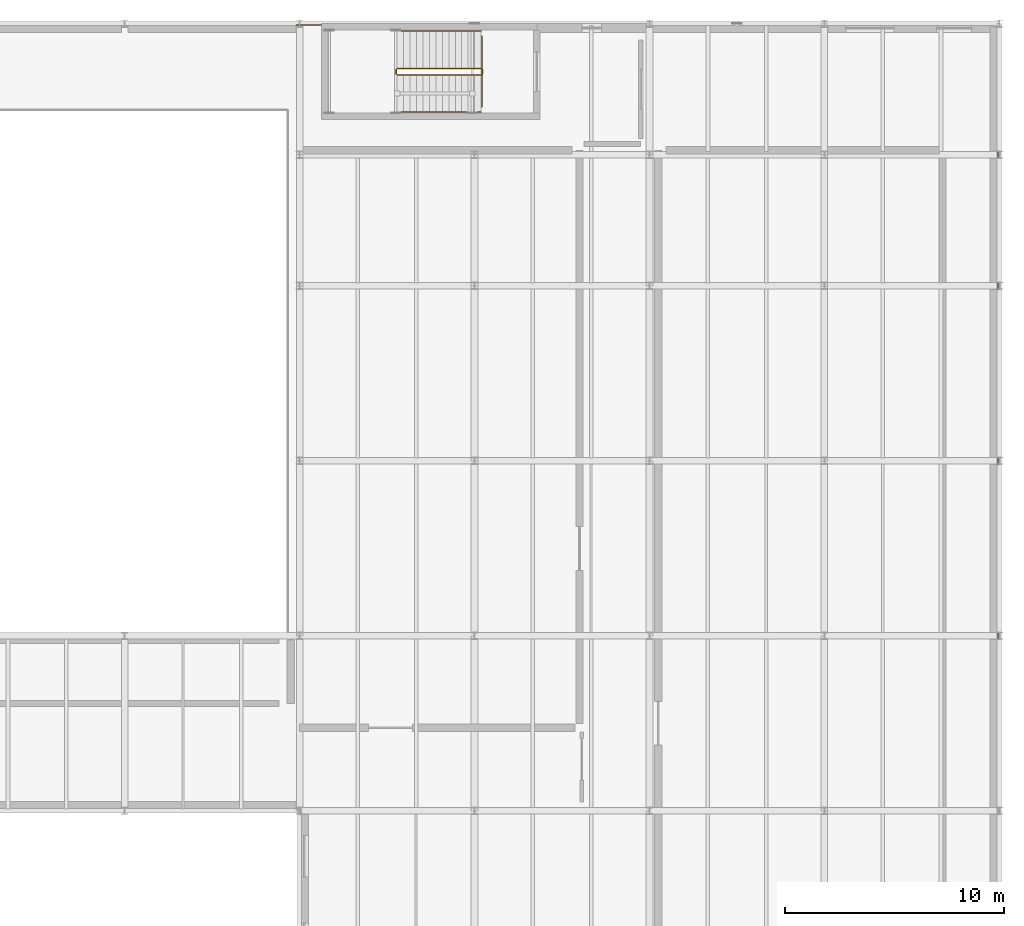
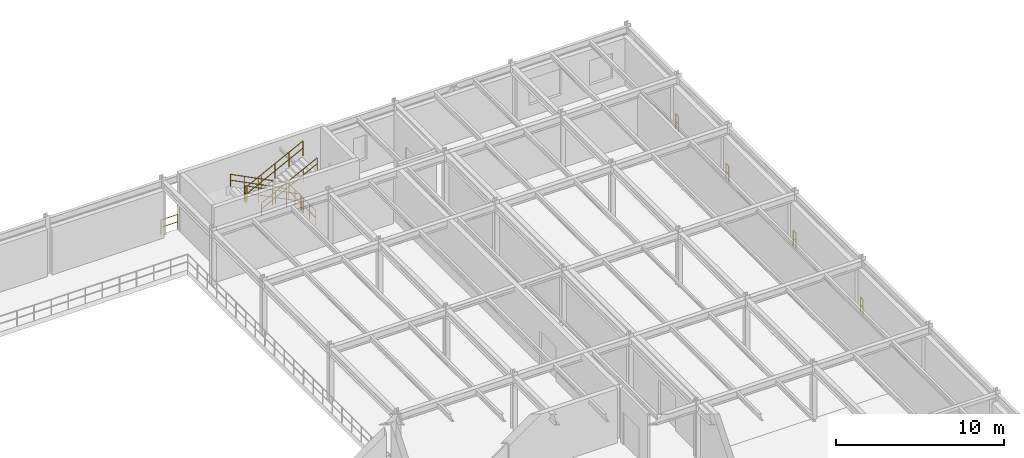
# One storey, part 122 of 122: 13 railings.
"""IFC4 building model written with IfcOpenShell, lengths in metres."""

from ifc_helpers import new_model, si_unit, direction, frame, origin, origin_2d, place, context, subcontext, project, spatial, circle, extrude, material, type_object, element, save


model = new_model("IFC4")

# Units and contexts
model_context = context("Model", 3, precision=1e-05, world=origin(), true_north=direction((0.0, 1.0)))
body_context = subcontext(model_context, "Body", "Model", "MODEL_VIEW")
ifc_project = project(units=[si_unit("LENGTHUNIT", "METRE"), si_unit("AREAUNIT", "SQUARE_METRE"), si_unit("VOLUMEUNIT", "CUBIC_METRE"), si_unit("PLANEANGLEUNIT", "RADIAN"), si_unit("MASSUNIT", "GRAM", prefix="KILO")], contexts=[model_context])

# Site, building, storey
site_placement = place(None, origin())
site = spatial("IfcSite", under=ifc_project, at=site_placement, CompositionType="ELEMENT")
building_placement = place(site_placement, origin())
building = spatial("IfcBuilding", under=site, at=building_placement, Name="Sundkrona Museum", CompositionType="ELEMENT")
storey_placement = place(building_placement, frame((0.0, 0.0, 5.39990234375)))
storey = spatial("IfcBuildingStorey", under=building, at=storey_placement, Name="L01", CompositionType="ELEMENT", Elevation=5.39990234375)

# Railings
ifc_material_1 = material(Name="Painted Steel S355J2 and Laminated Glass Balustrade", Category="steel")
railing_type_1 = type_object("IfcRailingType", Name="RL-GUARD-1100", PredefinedType="BALUSTRADE", material=ifc_material_1)
railing_1_placement = place(storey_placement, frame((144.300048828125, 111.949951171875, 0.150146484375)))
element("IfcRailing", 1, at=railing_1_placement, inside=storey, type_object=railing_type_1, Name="L01 ST-5 stair guard 1", PredefinedType="BALUSTRADE", context=body_context, shape_type="SweptSolid", body=[
    extrude(circle(Radius=0.02392578125, at=origin_2d()), frame((0.0, 0.0, 1.076171875), z_axis=(-0.891387850335, 0.0, 0.453241326752), x_axis=(0.0, -1.0, 0.0)), (0.0, 0.0, 1.0), 4.30224609375),
    extrude(circle(Radius=0.02392578125, at=origin_2d()), frame((0.0, 0.0, 0.550048828125), z_axis=(-0.891387850335, 0.0, 0.453241326752), x_axis=(0.0, -1.0, 0.0)), (0.0, 0.0, 1.0), 4.30224609375),
    extrude(circle(Radius=0.02099609375, at=origin_2d()), origin(), (0.0, 0.0, 1.0), 1.052001953125),
    extrude(circle(Radius=0.02099609375, at=origin_2d()), frame((-0.958740234375, 0.0, 0.487548828125)), (0.0, 0.0, 1.0), 1.052001953125),
    extrude(circle(Radius=0.02099609375, at=origin_2d()), frame((-1.91748046875, 0.0, 0.97509765625)), (0.0, 0.0, 1.0), 1.052001953125),
    extrude(circle(Radius=0.02099609375, at=origin_2d()), frame((-2.876220703125, 0.0, 1.46240234375)), (0.0, 0.0, 1.0), 1.052001953125),
    extrude(circle(Radius=0.02099609375, at=origin_2d()), frame((-3.8349609375, 0.0, 1.949951171875)), (0.0, 0.0, 1.0), 1.052001953125),
])
railing_2_placement = place(storey_placement, frame((140.4150390625, 111.89990234375, 2.10009765625)))
element("IfcRailing", 2, at=railing_2_placement, inside=storey, type_object=railing_type_1, Name="L01 ST-5 stair guard 2", PredefinedType="BALUSTRADE", context=body_context, shape_type="SweptSolid", body=[
    extrude(circle(Radius=0.02392578125, at=origin_2d()), frame((0.0, 0.0, 1.076171875), z_axis=(0.0, -1.0, 0.0), x_axis=(1.0, 0.0, 0.0)), (0.0, 0.0, 1.0), 0.199951171875),
    extrude(circle(Radius=0.02392578125, at=origin_2d()), frame((0.0, 0.0, 0.550048828125), z_axis=(0.0, -1.0, 0.0), x_axis=(1.0, 0.0, 0.0)), (0.0, 0.0, 1.0), 0.199951171875),
    extrude(circle(Radius=0.02099609375, at=origin_2d()), origin(), (0.0, 0.0, 1.0), 1.052001953125),
    extrude(circle(Radius=0.02099609375, at=origin_2d()), frame((0.0, -0.199951171875, 0.0)), (0.0, 0.0, 1.0), 1.052001953125),
])
railing_3_placement = place(storey_placement, frame((140.465087890625, 111.64990234375, 2.25)))
element("IfcRailing", 3, at=railing_3_placement, inside=storey, type_object=railing_type_1, Name="L01 ST-5 stair guard 3", PredefinedType="BALUSTRADE", context=body_context, shape_type="SweptSolid", body=[
    extrude(circle(Radius=0.02392578125, at=origin_2d()), frame((0.0, 0.0, 1.076171875), z_axis=(0.891364923058, 0.0, 0.453286414909), x_axis=(0.0, 1.0, 0.0)), (0.0, 0.0, 1.0), 4.30224609375),
    extrude(circle(Radius=0.02392578125, at=origin_2d()), frame((0.0, 0.0, 0.550048828125), z_axis=(0.891364923058, 0.0, 0.453286414909), x_axis=(0.0, 1.0, 0.0)), (0.0, 0.0, 1.0), 4.30224609375),
    extrude(circle(Radius=0.02099609375, at=origin_2d()), origin(), (0.0, 0.0, 1.0), 1.052001953125),
    extrude(circle(Radius=0.02099609375, at=origin_2d()), frame((0.958740234375, 0.0, 0.487548828125)), (0.0, 0.0, 1.0), 1.052001953125),
    extrude(circle(Radius=0.02099609375, at=origin_2d()), frame((1.91748046875, 0.0, 0.97509765625)), (0.0, 0.0, 1.0), 1.052001953125),
    extrude(circle(Radius=0.02099609375, at=origin_2d()), frame((2.876220703125, 0.0, 1.462646484375)), (0.0, 0.0, 1.0), 1.052001953125),
    extrude(circle(Radius=0.02099609375, at=origin_2d()), frame((3.8349609375, 0.0, 1.9501953125)), (0.0, 0.0, 1.0), 1.052001953125),
])
railing_4_placement = place(storey_placement, frame((144.35009765625, 111.89990234375, 0.0)))
element("IfcRailing", 4, at=railing_4_placement, inside=storey, type_object=railing_type_1, Name="L01 ST-5 stair guard 4", PredefinedType="BALUSTRADE", context=body_context, shape_type="SweptSolid", body=[
    extrude(circle(Radius=0.02392578125, at=origin_2d()), frame((0.0, 0.0, 1.076171875), z_axis=(0.0, -1.0, 0.0), x_axis=(1.0, 0.0, 0.0)), (0.0, 0.0, 1.0), 0.199951171875),
    extrude(circle(Radius=0.02392578125, at=origin_2d()), frame((0.0, 0.0, 0.550048828125), z_axis=(0.0, -1.0, 0.0), x_axis=(1.0, 0.0, 0.0)), (0.0, 0.0, 1.0), 0.199951171875),
    extrude(circle(Radius=0.02099609375, at=origin_2d()), origin(), (0.0, 0.0, 1.0), 1.052001953125),
    extrude(circle(Radius=0.02099609375, at=origin_2d()), frame((0.0, -0.199951171875, 0.0)), (0.0, 0.0, 1.0), 1.052001953125),
])
railing_5_placement = place(storey_placement, frame((135.847900390625, 113.93994140625, 0.0)))
element("IfcRailing", 5, at=railing_5_placement, inside=storey, type_object=railing_type_1, Name="L01 Edge Protection Balustrade 065", PredefinedType="BALUSTRADE", context=body_context, shape_type="SweptSolid", body=[
    extrude(circle(Radius=0.02392578125, at=origin_2d()), frame((0.0, 0.0, 1.09619140625), z_axis=(1.0, 0.0, 0.0), x_axis=(0.0, 1.0, 0.0)), (0.0, 0.0, 1.0), 1.152099609375),
    extrude(circle(Radius=0.02392578125, at=origin_2d()), frame((0.0, 0.0, 0.56005859375), z_axis=(1.0, 0.0, 0.0), x_axis=(0.0, 1.0, 0.0)), (0.0, 0.0, 1.0), 1.152099609375),
    extrude(circle(Radius=0.02099609375, at=origin_2d()), origin(), (0.0, 0.0, 1.0), 1.072021484375),
    extrude(circle(Radius=0.02099609375, at=origin_2d()), frame((1.152099609375, 0.0, 0.0)), (0.0, 0.0, 1.0), 1.072021484375),
])
for number, where, name in (
    (6, (144.3349609375, 110.179931640625, 0.0), "L01 Edge Protection Balustrade 072"),
    (7, (144.3349609375, 111.89990234375, 0.0), "L01 Edge Protection Balustrade 073"),
):
    element("IfcRailing", number, at=place(storey_placement, frame(where)), inside=storey, type_object=railing_type_1, Name=name, PredefinedType="BALUSTRADE", context=body_context, shape_type="SweptSolid", body=[
        extrude(circle(Radius=0.02392578125, at=origin_2d()), frame((0.0, 0.0, 1.09619140625), z_axis=(0.0, 1.0, 0.0), x_axis=(-1.0, 0.0, 0.0)), (0.0, 0.0, 1.0), 1.52001953125),
        extrude(circle(Radius=0.02392578125, at=origin_2d()), frame((0.0, 0.0, 0.56005859375), z_axis=(0.0, 1.0, 0.0), x_axis=(-1.0, 0.0, 0.0)), (0.0, 0.0, 1.0), 1.52001953125),
        extrude(circle(Radius=0.02099609375, at=origin_2d()), origin(), (0.0, 0.0, 1.0), 1.072021484375),
        extrude(circle(Radius=0.02099609375, at=origin_2d()), frame((0.0, 0.760009765625, 0.0)), (0.0, 0.0, 1.0), 1.072021484375),
        extrude(circle(Radius=0.02099609375, at=origin_2d()), frame((0.0, 1.52001953125, 0.0)), (0.0, 0.0, 1.0), 1.072021484375),
    ])
for number, where, name in (
    (8, (167.93994140625, 86.162109375, 0.0), "L01 Edge Protection Balustrade 089"),
    (9, (167.93994140625, 94.162109375, 0.0), "L01 Edge Protection Balustrade 090"),
    (10, (167.93994140625, 102.162109375, 0.0), "L01 Edge Protection Balustrade 091"),
    (11, (167.93994140625, 108.162109375, 0.0), "L01 Edge Protection Balustrade 092"),
):
    element("IfcRailing", number, at=place(storey_placement, frame(where)), inside=storey, type_object=railing_type_1, Name=name, PredefinedType="BALUSTRADE", context=body_context, shape_type="SweptSolid", body=[
        extrude(circle(Radius=0.02392578125, at=origin_2d()), frame((0.0, 0.0, 1.09619140625), z_axis=(0.0, -1.0, 0.0), x_axis=(1.0, 0.0, 0.0)), (0.0, 0.0, 1.0), 0.32421875),
        extrude(circle(Radius=0.02392578125, at=origin_2d()), frame((0.0, 0.0, 0.56005859375), z_axis=(0.0, -1.0, 0.0), x_axis=(1.0, 0.0, 0.0)), (0.0, 0.0, 1.0), 0.32421875),
        extrude(circle(Radius=0.02099609375, at=origin_2d()), origin(), (0.0, 0.0, 1.0), 1.072021484375),
        extrude(circle(Radius=0.02099609375, at=origin_2d()), frame((0.0, -0.32421875, 0.0)), (0.0, 0.0, 1.0), 1.072021484375),
    ])
ifc_material_2 = material(Name="Brushed Bronze-Clad Steel Handrail", Category="steel")
railing_type_2 = type_object("IfcRailingType", Name="RL-HAND-900", PredefinedType="HANDRAIL", material=ifc_material_2)
railing_6_placement = place(storey_placement, frame((144.300048828125, 113.64990234375, 0.150146484375)))
element("IfcRailing", 12, at=railing_6_placement, inside=storey, type_object=railing_type_2, Name="L01 ST-5 stair handrail 1", PredefinedType="HANDRAIL", context=body_context, shape_type="SweptSolid", body=[
    extrude(circle(Radius=0.02392578125, at=origin_2d()), frame((0.0, 0.0, 0.8759765625), z_axis=(-0.891387850335, 0.0, 0.453241326752), x_axis=(0.0, -1.0, 0.0)), (0.0, 0.0, 1.0), 4.30224609375),
    extrude(circle(Radius=0.02392578125, at=origin_2d()), frame((0.0, 0.0, 0.449951171875), z_axis=(-0.891387850335, 0.0, 0.453241326752), x_axis=(0.0, -1.0, 0.0)), (0.0, 0.0, 1.0), 4.30224609375),
    extrude(circle(Radius=0.02099609375, at=origin_2d()), origin(), (0.0, 0.0, 1.0), 0.851806640625),
    extrude(circle(Radius=0.02099609375, at=origin_2d()), frame((-0.958740234375, 0.0, 0.487548828125)), (0.0, 0.0, 1.0), 0.851806640625),
    extrude(circle(Radius=0.02099609375, at=origin_2d()), frame((-1.91748046875, 0.0, 0.97509765625)), (0.0, 0.0, 1.0), 0.851806640625),
    extrude(circle(Radius=0.02099609375, at=origin_2d()), frame((-2.876220703125, 0.0, 1.46240234375)), (0.0, 0.0, 1.0), 0.851806640625),
    extrude(circle(Radius=0.02099609375, at=origin_2d()), frame((-3.8349609375, 0.0, 1.949951171875)), (0.0, 0.0, 1.0), 0.851806640625),
])
railing_7_placement = place(storey_placement, frame((140.465087890625, 109.949951171875, 2.25)))
element("IfcRailing", 13, at=railing_7_placement, inside=storey, type_object=railing_type_2, Name="L01 ST-5 stair handrail 2", PredefinedType="HANDRAIL", context=body_context, shape_type="SweptSolid", body=[
    extrude(circle(Radius=0.02392578125, at=origin_2d()), frame((0.0, 0.0, 0.8759765625), z_axis=(0.891364923058, 0.0, 0.453286414909), x_axis=(0.0, 1.0, 0.0)), (0.0, 0.0, 1.0), 4.30224609375),
    extrude(circle(Radius=0.02392578125, at=origin_2d()), frame((0.0, 0.0, 0.449951171875), z_axis=(0.891364923058, 0.0, 0.453286414909), x_axis=(0.0, 1.0, 0.0)), (0.0, 0.0, 1.0), 4.30224609375),
    extrude(circle(Radius=0.02099609375, at=origin_2d()), origin(), (0.0, 0.0, 1.0), 0.851806640625),
    extrude(circle(Radius=0.02099609375, at=origin_2d()), frame((0.958740234375, 0.0, 0.487548828125)), (0.0, 0.0, 1.0), 0.851806640625),
    extrude(circle(Radius=0.02099609375, at=origin_2d()), frame((1.91748046875, 0.0, 0.97509765625)), (0.0, 0.0, 1.0), 0.851806640625),
    extrude(circle(Radius=0.02099609375, at=origin_2d()), frame((2.876220703125, 0.0, 1.462646484375)), (0.0, 0.0, 1.0), 0.851806640625),
    extrude(circle(Radius=0.02099609375, at=origin_2d()), frame((3.8349609375, 0.0, 1.9501953125)), (0.0, 0.0, 1.0), 0.851806640625),
])

save(model, "model.ifc")
